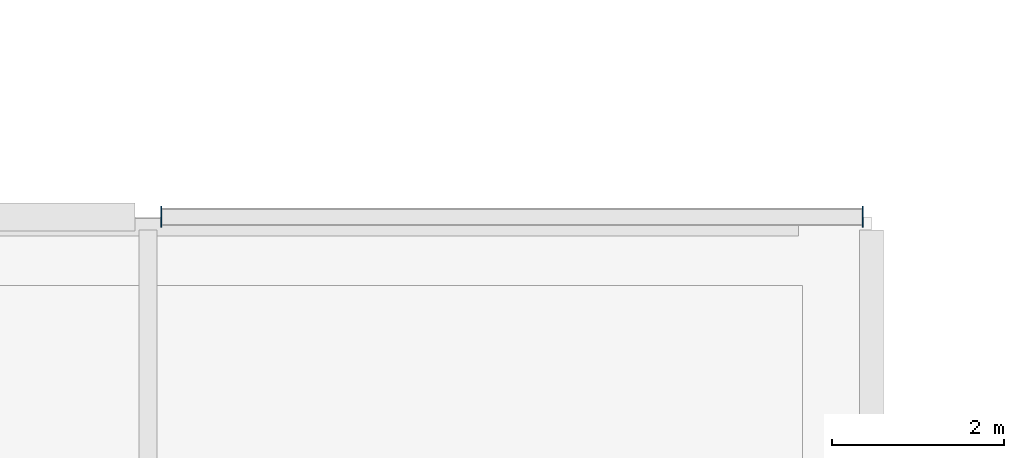
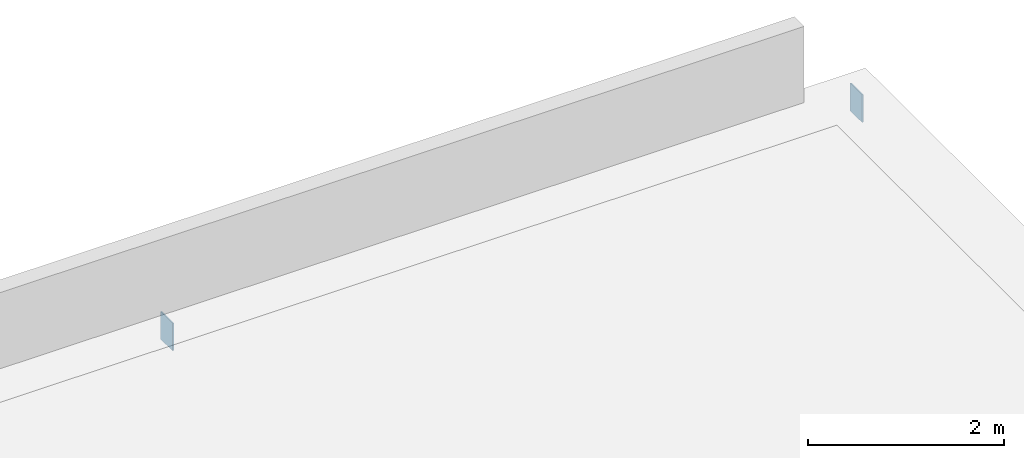
# One storey, part 148 of 186: 2 plates.
"""IFC4 building model written with IfcOpenShell, lengths in metres."""

from ifc_helpers import new_model, si_unit, direction, frame, origin, origin_2d, place, context, subcontext, project, spatial, rectangle, extrude, material, layer, layer_set, type_object, element, save


model = new_model("IFC4")

# Units and contexts
model_context = context("Model", 3, precision=1e-05, world=origin(), true_north=direction((0.0, 1.0)))
body_context = subcontext(model_context, "Body", "Model", "MODEL_VIEW")
ifc_project = project(units=[si_unit("LENGTHUNIT", "METRE"), si_unit("AREAUNIT", "SQUARE_METRE"), si_unit("VOLUMEUNIT", "CUBIC_METRE"), si_unit("PLANEANGLEUNIT", "RADIAN"), si_unit("MASSUNIT", "GRAM", prefix="KILO")], contexts=[model_context])

# Site, building, storey
site_placement = place(None, origin())
site = spatial("IfcSite", under=ifc_project, at=site_placement, CompositionType="ELEMENT")
building_placement = place(site_placement, origin())
building = spatial("IfcBuilding", under=site, at=building_placement, Name="Calvrana Isthmian Art Gallery", CompositionType="ELEMENT")
storey_placement = place(building_placement, frame((0.0, 0.0, 5.39990234375)))
storey = spatial("IfcBuildingStorey", under=building, at=storey_placement, Name="L01", CompositionType="ELEMENT", Elevation=5.39990234375)

# Plates
ifc_material = material(Name="Steel ASTM A572 Gr 50", Category="steel")
ifc_layer = layer(ifc_material, 0.01611328125, Name="Steel ASTM A572 Gr 50")
ifc_layer_set = layer_set([ifc_layer], Name="Steel ASTM A572 Gr 50")
plate_type = type_object("IfcPlateType", Name="PL-CAP-16", PredefinedType="SHEET", material=ifc_layer_set)
for number, where, z_axis, x_axis, name in (
    (1, (30.15234375, 69.60009765625, -0.569580078125), (0.0, 0.0, 1.0), (1.0, 0.0, 0.0), "Hollow section end cap plate 429"),
    (2, (38.29833984375, 69.60009765625, -0.569580078125), (0.0, 0.0, 1.0), (1.0, 0.0, 0.0), "Hollow section end cap plate 430"),
):
    element("IfcPlate", number, at=place(storey_placement, frame(where, z_axis=z_axis, x_axis=x_axis)), inside=storey, type_object=plate_type, Name=name, PredefinedType="SHEET", context=body_context, shape_type="SweptSolid", body=[
        extrude(rectangle(XDim=0.01611328125, YDim=0.2431640625, at=origin_2d()), origin(), (0.0, 0.0, 1.0), 0.3447265625),
    ])

save(model, "model.ifc")
